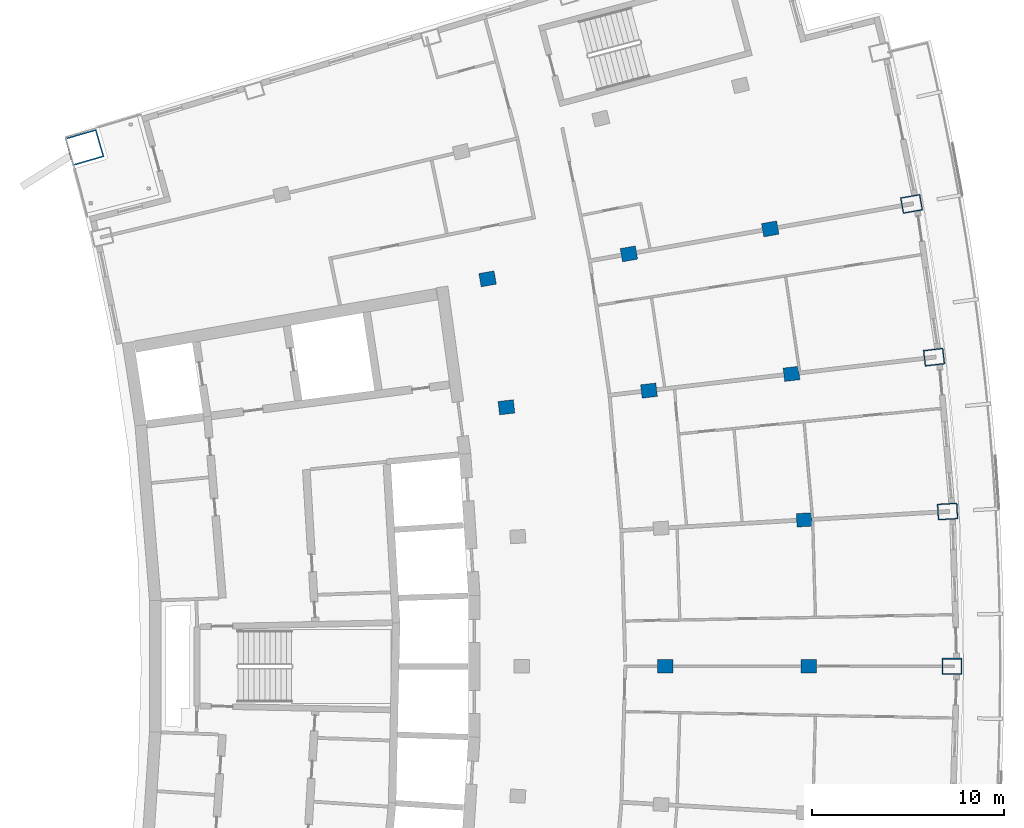
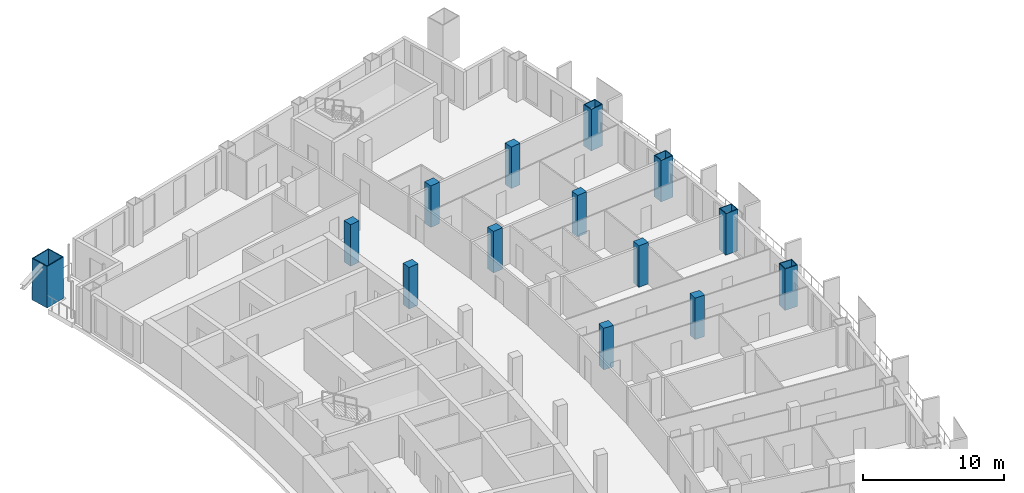
# One storey, part 6 of 19: 14 columns.
"""IFC4 building model written with IfcOpenShell, lengths in metres."""

from ifc_helpers import new_model, si_unit, direction, frame, origin, origin_2d, place, context, subcontext, project, spatial, rectangle, hollow_rectangle, extrude, material, material_profile, profile_set, type_object, element, save


model = new_model("IFC4")

# Units and contexts
model_context = context("Model", 3, precision=1e-05, world=origin(), true_north=direction((0.0, 1.0)))
body_context = subcontext(model_context, "Body", "Model", "MODEL_VIEW")
ifc_project = project(units=[si_unit("LENGTHUNIT", "METRE"), si_unit("AREAUNIT", "SQUARE_METRE"), si_unit("VOLUMEUNIT", "CUBIC_METRE"), si_unit("PLANEANGLEUNIT", "RADIAN"), si_unit("MASSUNIT", "GRAM", prefix="KILO")], contexts=[model_context])

# Site, building, storey
site_placement = place(None, origin())
site = spatial("IfcSite", under=ifc_project, at=site_placement, CompositionType="ELEMENT")
building_placement = place(site_placement, origin())
building = spatial("IfcBuilding", under=site, at=building_placement, Name="Alderwake Tower", CompositionType="ELEMENT")
storey_placement = place(building_placement, frame((0.0, 0.0, 203.60009765625)))
storey = spatial("IfcBuildingStorey", under=building, at=storey_placement, Name="L50", CompositionType="ELEMENT", Elevation=203.60009765625)

# Columns
ifc_material_1 = material(Name="Concrete C70/85", Category="concrete")
ifc_material_profile_1 = material_profile(ifc_material_1, rectangle(XDim=0.699951171875, YDim=0.800048828125, at=origin_2d()), Name="RC 800X700")
ifc_profile_set_1 = profile_set([ifc_material_profile_1], Name="Concrete C70/85")
column_type_1 = type_object("IfcColumnType", Name="Interior column Z4", PredefinedType="COLUMN", material=ifc_profile_set_1)
for number, where, z_axis, x_axis, name in (
    (1, (43.2666015625, 61.0, 0.0), (0.0, 0.0, 1.0), (0.0, 1.0, 0.0), "Column R07-C3"),
    (2, (50.7333984375, 61.0, 0.0), (0.0, 0.0, 1.0), (0.0, 1.0, 0.0), "Column R07-C4"),
    (3, (50.510986328125, 68.621826171875, 0.0), (0.0, 0.0, 1.0), (-0.058301061284, 0.998299046505, 0.0), "Column R08-C4"),
    (4, (35.0126953125, 74.4794921875, 0.0), (0.0, 0.0, 1.0), (-0.116402054316, 0.993202175668, 0.0), "Column R09-C2"),
    (5, (42.4287109375, 75.348388671875, 0.0), (0.0, 0.0, 1.0), (-0.116402054316, 0.993202175668, 0.0), "Column R09-C3"),
    (6, (49.844482421875, 76.217529296875, 0.0), (0.0, 0.0, 1.0), (-0.116402054316, 0.993202175668, 0.0), "Column R09-C4"),
    (7, (34.03125, 81.16162109375, 0.0), (0.0, 0.0, 1.0), (-0.174108800747, 0.984726421654, 0.0), "Column R10-C2"),
    (8, (41.384033203125, 82.461669921875, 0.0), (0.0, 0.0, 1.0), (-0.174107082075, 0.984726725529, 0.0), "Column R10-C3"),
    (9, (48.736572265625, 83.76171875, 0.0), (0.0, 0.0, 1.0), (-0.174107082075, 0.984726725529, 0.0), "Column R10-C4"),
):
    element("IfcColumn", number, at=place(storey_placement, frame(where, z_axis=z_axis, x_axis=x_axis)), inside=storey, type_object=column_type_1, Name=name, PredefinedType="COLUMN", context=body_context, shape_type="SweptSolid", body=[
        extrude(rectangle(XDim=0.699951171875, YDim=0.800048828125, at=origin_2d()), origin(), (0.0, 0.0, 1.0), 3.599853515625),
    ])
ifc_material_2 = material(Name="Steel ASTM A572 Grade 50 concrete filled C70/85", Category="concrete")
ifc_material_profile_2 = material_profile(ifc_material_2, hollow_rectangle(XDim=1.5, YDim=1.699951171875, WallThickness=0.074951171875, at=origin_2d()), Name="BOX 1700X1500X75")
ifc_profile_set_2 = profile_set([ifc_material_profile_2], Name="Steel ASTM A572 Grade 50 concrete filled C70/85")
column_type_2 = type_object("IfcColumnType", Name="Mega column Z4", PredefinedType="COLUMN", material=ifc_profile_set_2)
column_placement = place(storey_placement, frame((13.06298828125, 87.99755859375, 0.0), z_axis=(0.0, 0.0, 1.0), x_axis=(-0.278612301868, 0.960403657452, 0.0)))
element("IfcColumn", 10, at=column_placement, inside=storey, type_object=column_type_2, Name="Column R12-C0", PredefinedType="COLUMN", context=body_context, shape_type="SweptSolid", body=[
    extrude(hollow_rectangle(XDim=1.5, YDim=1.699951171875, WallThickness=0.074951171875, at=origin_2d()), origin(), (0.0, 0.0, 1.0), 3.599853515625),
])
ifc_material_3 = material(Name="Steel ASTM A572 Grade 50 concrete filled C70/85", Category="concrete")
ifc_material_profile_3 = material_profile(ifc_material_3, hollow_rectangle(XDim=0.85009765625, YDim=1.050048828125, WallThickness=0.054931640625, at=origin_2d()), Name="BOX 1050X850X55")
ifc_profile_set_3 = profile_set([ifc_material_profile_3], Name="Steel ASTM A572 Grade 50 concrete filled C70/85")
column_type_3 = type_object("IfcColumnType", Name="Perimeter column Z4", PredefinedType="COLUMN", material=ifc_profile_set_3)
for number, where, z_axis, x_axis, name in (
    (11, (58.199951171875, 61.0, 0.0), (0.0, 0.0, 1.0), (0.0, 1.0, 0.0), "Column R07-C5"),
    (12, (57.96484375, 69.05712890625, 0.0), (0.0, 0.0, 1.0), (-0.058301061284, 0.998299046505, 0.0), "Column R08-C5"),
    (13, (57.260498046875, 77.0869140625, 0.0), (0.0, 0.0, 1.0), (-0.116402054316, 0.993202175668, 0.0), "Column R09-C5"),
    (14, (56.089111328125, 85.061767578125, 0.0), (0.0, 0.0, 1.0), (-0.174107082075, 0.984726725529, 0.0), "Column R10-C5"),
):
    element("IfcColumn", number, at=place(storey_placement, frame(where, z_axis=z_axis, x_axis=x_axis)), inside=storey, type_object=column_type_3, Name=name, PredefinedType="COLUMN", context=body_context, shape_type="SweptSolid", body=[
        extrude(hollow_rectangle(XDim=0.85009765625, YDim=1.050048828125, WallThickness=0.054931640625, at=origin_2d()), origin(), (0.0, 0.0, 1.0), 3.599853515625),
    ])

save(model, "model.ifc")
